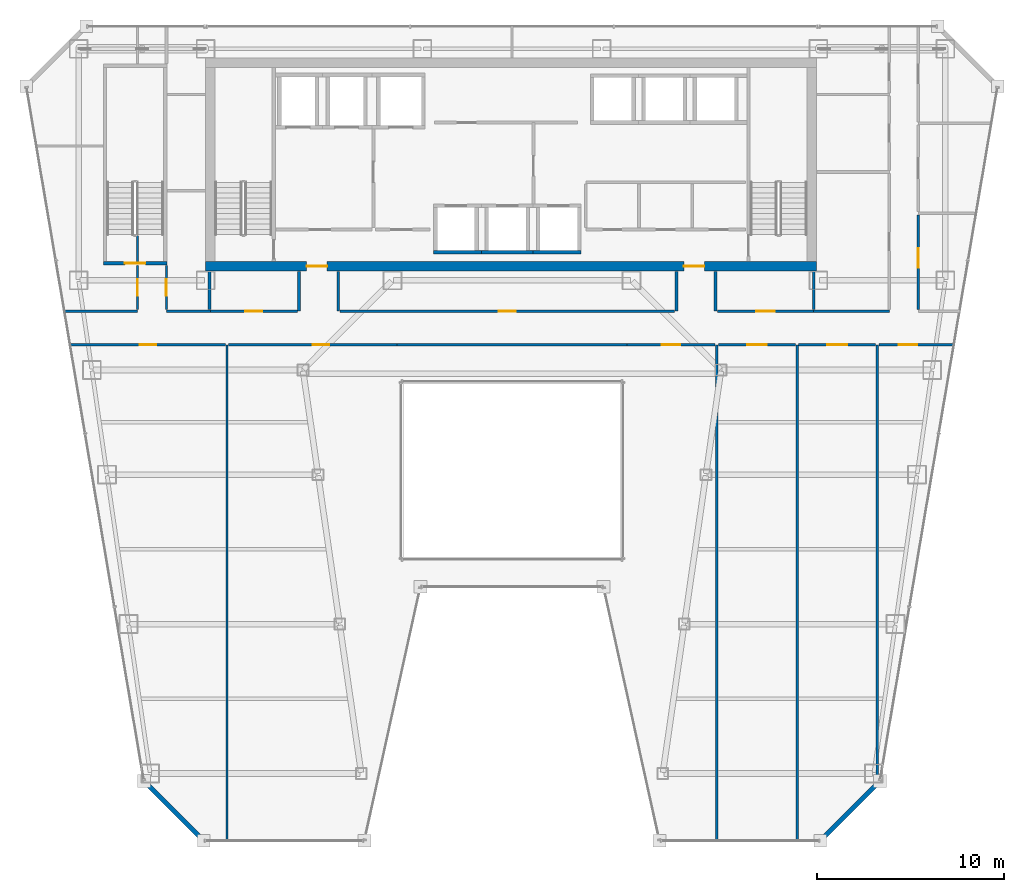
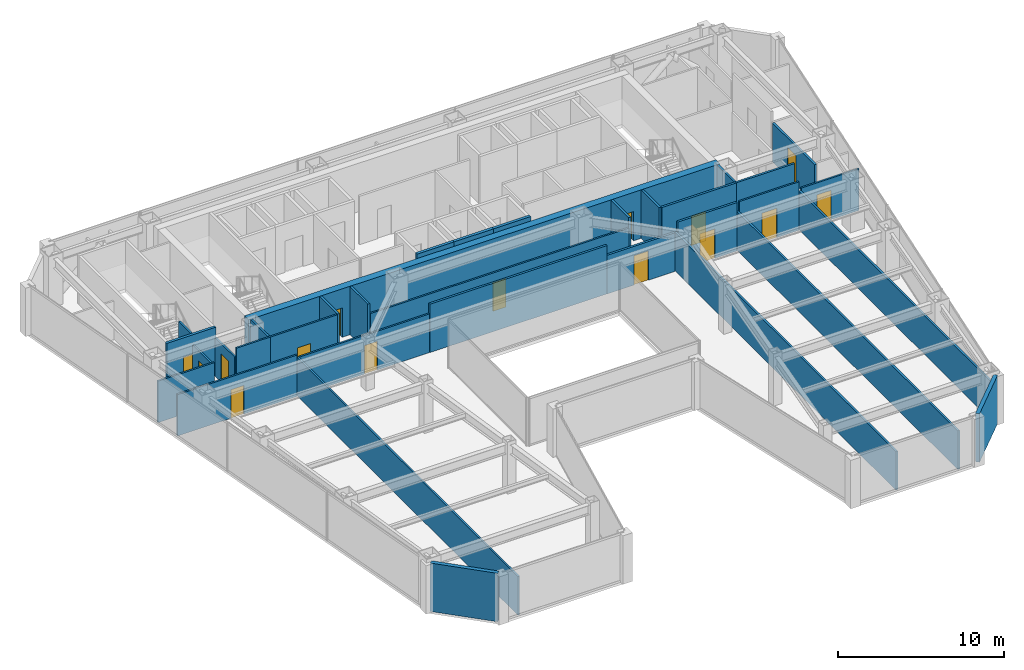
# One storey, part 29 of 35: 34 walls, 15 doors, 15 openings.
"""IFC4 building model written with IfcOpenShell, lengths in metres."""

import ifcopenshell
import ifcopenshell.guid

model = None  # the IFC model being written
_history = None  # IfcOwnerHistory: only IFC2X3 demands one
_inside = {}  # id of a spatial element -> (the spatial element, [elements in it])
_under = {}  # id of a project, library or spatial element -> (it, [spatial elements below it])
_declared = {}  # id of a project -> (the project, [libraries it declares])
_typed = {}  # id of a type object -> (the type object, [elements of that type])
_made_of = {}  # id of a material, layer set ... -> (it, [elements and type objects made of it])


def new_model(schema):
    """Start an empty IFC model of exactly this schema.

    Asked for "IFC4X3", IfcOpenShell would pick the latest addendum, in which some entities
    have other attributes; the version numbers below select the first issue.
    IFC2X3 requires an IfcOwnerHistory on every rooted entity: one is made here for all.
    """
    global model, _history
    if schema == "IFC4X3":
        model = ifcopenshell.file(schema_version=(4, 3, 0, 0))
    else:
        model = ifcopenshell.file(schema=schema)
    _inside.clear()
    _under.clear()
    _declared.clear()
    _typed.clear()
    _made_of.clear()
    _history = None
    if model.schema == "IFC2X3":
        org = make("IfcOrganization", Name="unknown")
        user = make(
            "IfcPersonAndOrganization",
            ThePerson=make("IfcPerson", FamilyName="unknown"),
            TheOrganization=org,
        )
        app = make(
            "IfcApplication",
            ApplicationDeveloper=org,
            Version="unknown",
            ApplicationFullName="unknown",
            ApplicationIdentifier="unknown",
        )
        _history = make(
            "IfcOwnerHistory",
            OwningUser=user,
            OwningApplication=app,
            ChangeAction="ADDED",
            CreationDate=0,
        )
    return model


def make(cls, **values):
    """One entity of the class cls with the attributes given. An attribute that is None is left unset."""
    return model.create_entity(
        cls, **{name: value for name, value in values.items() if value is not None}
    )


def rooted(cls, **values):
    """An entity with a GlobalId (a new one), such as an element, a storey or a relation."""
    return make(cls, GlobalId=ifcopenshell.guid.new(), OwnerHistory=_history, **values)


def si_unit(unit_type, name, prefix=None):
    """IfcSIUnit, for example si_unit("LENGTHUNIT", "METRE", prefix="MILLI")."""
    return make("IfcSIUnit", UnitType=unit_type, Prefix=prefix, Name=name)


def assignment(units):
    """IfcUnitAssignment: the units of a project."""
    return None if units is None else make("IfcUnitAssignment", Units=units)


def point(xyz):
    """IfcCartesianPoint."""
    return None if xyz is None else make("IfcCartesianPoint", Coordinates=xyz)


def direction(xyz):
    """IfcDirection."""
    return None if xyz is None else make("IfcDirection", DirectionRatios=xyz)


def frame(location, z_axis=None, x_axis=None):
    """IfcAxis2Placement3D, a coordinate frame: its origin and axes. An axis left out is left unset."""
    return make(
        "IfcAxis2Placement3D",
        Location=point(location),
        Axis=direction(z_axis),
        RefDirection=direction(x_axis),
    )


def frame_2d(location, x_axis=None):
    """IfcAxis2Placement2D, a coordinate frame in the plane: its origin and x axis."""
    return make(
        "IfcAxis2Placement2D", Location=point(location), RefDirection=direction(x_axis)
    )


def origin():
    """The frame at (0, 0, 0) with its axes left unset."""
    return frame((0.0, 0.0, 0.0))


def place(relative_to, where):
    """IfcLocalPlacement: puts the frame where relative to a parent placement (None: the world)."""
    return make(
        "IfcLocalPlacement", PlacementRelTo=relative_to, RelativePlacement=where
    )


def context(
    kind, dimensions, precision=None, world=None, true_north=None, identifier=None
):
    """IfcGeometricRepresentationContext, for example the 3D "Model" context."""
    return make(
        "IfcGeometricRepresentationContext",
        ContextIdentifier=identifier,
        ContextType=kind,
        CoordinateSpaceDimension=dimensions,
        Precision=precision,
        WorldCoordinateSystem=world,
        TrueNorth=true_north,
    )


def subcontext(parent, identifier, kind, view, scale=None):
    """IfcGeometricRepresentationSubContext, for example "Body" below "Model"."""
    return make(
        "IfcGeometricRepresentationSubContext",
        ContextIdentifier=identifier,
        ContextType=kind,
        ParentContext=parent,
        TargetScale=scale,
        TargetView=view,
    )


def project(units=None, contexts=None):
    """IfcProject with its units and contexts."""
    return rooted(
        "IfcProject",
        Name="project",
        RepresentationContexts=contexts,
        UnitsInContext=assignment(units),
    )


def spatial(cls, under=None, at=None, **own):
    """A site, building, storey or space (cls), placed at a placement, below another one or the project."""
    s = rooted(cls, ObjectPlacement=at, **own)
    if under is not None:
        _under.setdefault(under.id(), (under, []))[1].append(s)
    return s


def profile(cls, at=None, kind="AREA", **sizes):
    """A parametric profile (cls). Its sizes go by their IFC names, for example OverallWidth=200.0."""
    return make(cls, ProfileType=kind, Position=at, **sizes)


def rectangle(**sizes):
    """IfcRectangleProfileDef."""
    return profile("IfcRectangleProfileDef", **sizes)


def extrude(swept, where, along, depth):
    """IfcExtrudedAreaSolid: the profile swept, set in the frame where, extruded along a direction by depth."""
    return make(
        "IfcExtrudedAreaSolid",
        SweptArea=swept,
        Position=where,
        ExtrudedDirection=direction(along),
        Depth=depth,
    )


def shape(context_of_items, identifier, shape_type, items):
    """IfcShapeRepresentation: the items that make up one representation, for example the "Body"."""
    return make(
        "IfcShapeRepresentation",
        ContextOfItems=context_of_items,
        RepresentationIdentifier=identifier,
        RepresentationType=shape_type,
        Items=items,
    )


def material(Name=None, Category=None):
    """IfcMaterial."""
    return make("IfcMaterial", Name=Name, Category=Category)


def layer(
    of_material, thickness, ventilated=None, Name=None, Category=None, Priority=None
):
    """IfcMaterialLayer: one layer of a wall or slab, of a material (None: an air gap)."""
    return make(
        "IfcMaterialLayer",
        Material=of_material,
        LayerThickness=thickness,
        IsVentilated=ventilated,
        Name=Name,
        Category=Category,
        Priority=Priority,
    )


def layer_set(layers, Name=None):
    """IfcMaterialLayerSet."""
    return make("IfcMaterialLayerSet", MaterialLayers=layers, LayerSetName=Name)


def made_of(thing, what):
    """Note that an element or type object is made of a material, layer set ...; save() writes the relation."""
    if what is not None:
        _made_of.setdefault(what.id(), (what, []))[1].append(thing)
    return thing


def type_object(cls, material=None, **own):
    """A type object (cls), such as IfcWallType, which elements share."""
    return made_of(rooted(cls, **own), material)


def element(
    cls,
    number,
    at=None,
    inside=None,
    cuts=None,
    type_object=None,
    material=None,
    context=None,
    identifier="Body",
    shape_type=None,
    held_by="IfcProductDefinitionShape",
    body=None,
    shapes=None,
    **own,
):
    """One element of the class cls, such as IfcWall. Its Tag is "e" and its number.

    at: its placement. inside: the storey or other place that contains it. cuts: it is an
    opening in that element (IfcRelVoidsElement). A single representation is given by context,
    identifier, shape_type and body (its items); several are given by shapes. held_by: the class
    of the entity that holds the representations. save() writes the other relations.
    """
    e = rooted(cls, Tag="e%d" % number, ObjectPlacement=at, **own)
    if body is not None:
        shapes = [shape(context, identifier, shape_type, body)]
    if shapes is not None:
        e.Representation = make(held_by, Representations=shapes)
    if inside is not None:
        _inside.setdefault(inside.id(), (inside, []))[1].append(e)
    if cuts is not None:
        rooted(
            "IfcRelVoidsElement", RelatingBuildingElement=cuts, RelatedOpeningElement=e
        )
    if type_object is not None:
        _typed.setdefault(type_object.id(), (type_object, []))[1].append(e)
    return made_of(e, material)


def fill(opening, filler):
    """IfcRelFillsElement: the door or window that sits in an opening."""
    return rooted(
        "IfcRelFillsElement",
        RelatingOpeningElement=opening,
        RelatedBuildingElement=filler,
    )


def aggregate(whole, parts):
    """IfcRelAggregates: a whole, such as a stair, and the parts it consists of."""
    return rooted("IfcRelAggregates", RelatingObject=whole, RelatedObjects=parts)


def save(model, path):
    """Write the relations noted so far, then the file.

    IfcRelAggregates (storeys below a building ...), IfcRelContainedInSpatialStructure (elements
    in a storey), IfcRelDefinesByType, IfcRelAssociatesMaterial and IfcRelDeclares: one each for
    every whole, place, type object, material and project.
    """
    for whole, parts in _under.values():
        aggregate(whole, parts)
    for where, things in _inside.values():
        rooted(
            "IfcRelContainedInSpatialStructure",
            RelatedElements=things,
            RelatingStructure=where,
        )
    for kind, things in _typed.values():
        rooted("IfcRelDefinesByType", RelatedObjects=things, RelatingType=kind)
    for what, things in _made_of.values():
        rooted("IfcRelAssociatesMaterial", RelatedObjects=things, RelatingMaterial=what)
    for by, libraries in _declared.values():
        rooted("IfcRelDeclares", RelatingContext=by, RelatedDefinitions=libraries)
    model.write(path)


model = new_model("IFC4")

# Units and contexts
model_context = context("Model", 3, precision=1e-05, world=origin(), true_north=direction((0.0, 1.0)))
body_context = subcontext(model_context, "Body", "Model", "MODEL_VIEW")
ifc_project = project(units=[si_unit("LENGTHUNIT", "METRE"), si_unit("AREAUNIT", "SQUARE_METRE"), si_unit("VOLUMEUNIT", "CUBIC_METRE"), si_unit("PLANEANGLEUNIT", "RADIAN"), si_unit("MASSUNIT", "GRAM", prefix="KILO")], contexts=[model_context])

# Site, building, storey
site_placement = place(None, origin())
site = spatial("IfcSite", under=ifc_project, at=site_placement, CompositionType="ELEMENT")
building_placement = place(site_placement, origin())
building = spatial("IfcBuilding", under=site, at=building_placement, Name="Saevonmaru Cultural Tower", CompositionType="ELEMENT")
storey_placement = place(building_placement, frame((0.0, 0.0, 175.199951171875)))
storey = spatial("IfcBuildingStorey", under=building, at=storey_placement, Name="L39", CompositionType="ELEMENT", Elevation=175.199951171875)

# Wall, openings, doors
ifc_material_1 = material(Name="Concrete C60/75", Category="concrete")
ifc_layer_1 = layer(ifc_material_1, 0.5, Name="Concrete C60/75")
ifc_layer_set_1 = layer_set([ifc_layer_1], Name="Concrete C60/75")
wall_type_1 = type_object("IfcWallType", Name="WL-CORE-500", PredefinedType="SHEAR", material=ifc_layer_set_1)
wall_1_placement = place(storey_placement, frame((13.60009765625, 43.14990234375, 0.0), z_axis=(0.0, 0.0, 1.0), x_axis=(1.0, 0.0, 0.0)))
wall_1 = element("IfcWall", 1, at=wall_1_placement, inside=storey, type_object=wall_type_1, Name="L39 Tower RC core shear wall S", PredefinedType="SHEAR", context=body_context, shape_type="SweptSolid", body=[
    extrude(rectangle(XDim=32.699951171875, YDim=0.5, at=frame_2d((16.35009765625, 0.0))), origin(), (0.0, 0.0, 1.0), 3.550048828125),
])
opening_1_placement = place(wall_1_placement, frame((5.39990234375, 0.0, 0.0)))
opening_1 = element("IfcOpeningElement", 2, at=opening_1_placement, cuts=wall_1, Name="Opening FD-2", PredefinedType="OPENING", context=body_context, shape_type="SweptSolid", body=[
    extrude(rectangle(XDim=1.10009765625, YDim=2.14990234375, at=frame_2d((0.550048828125, 1.074951171875))), frame((0.0, 0.260009765625, 0.0), z_axis=(0.0, -1.0, 0.0), x_axis=(1.0, 0.0, 0.0)), (0.0, 0.0, 1.0), 0.52001953125),
])
opening_2_placement = place(wall_1_placement, frame((25.60009765625, 0.0, 0.0)))
opening_2 = element("IfcOpeningElement", 3, at=opening_2_placement, cuts=wall_1, Name="Opening FD-2", PredefinedType="OPENING", context=body_context, shape_type="SweptSolid", body=[
    extrude(rectangle(XDim=1.10009765625, YDim=2.14990234375, at=frame_2d((0.550048828125, 1.074951171875))), frame((0.0, 0.260009765625, 0.0), z_axis=(0.0, -1.0, 0.0), x_axis=(1.0, 0.0, 0.0)), (0.0, 0.0, 1.0), 0.52001953125),
])
ifc_material_2 = material(Name="Satin Bronze Anodised Aluminium", Category="aluminium")
door_type_1 = type_object("IfcDoorType", Name="DR-FD60-1100", OperationType="SINGLE_SWING_LEFT", PredefinedType="DOOR", material=ifc_material_2)
door_1_placement = place(opening_1_placement, origin())
door_1 = element("IfcDoor", 4, at=door_1_placement, inside=storey, type_object=door_type_1, Name="L39 Core West Lobby Fire Door", OperationType="SINGLE_SWING_LEFT", OverallHeight=2.14990234375, OverallWidth=1.10009765625, PredefinedType="DOOR", context=body_context, shape_type="SweptSolid", body=[
    extrude(rectangle(XDim=1.10009765625, YDim=2.14990234375, at=frame_2d((0.550048828125, 1.074951171875))), frame((0.0, 0.02490234375, 0.0), z_axis=(0.0, -1.0, 0.0), x_axis=(1.0, 0.0, 0.0)), (0.0, 0.0, 1.0), 0.050048828125),
])
fill(opening_1, door_1)
door_2_placement = place(opening_2_placement, origin())
door_2 = element("IfcDoor", 5, at=door_2_placement, inside=storey, type_object=door_type_1, Name="L39 Core East Lobby Fire Door", OperationType="SINGLE_SWING_LEFT", OverallHeight=2.14990234375, OverallWidth=1.10009765625, PredefinedType="DOOR", context=body_context, shape_type="SweptSolid", body=[
    extrude(rectangle(XDim=1.10009765625, YDim=2.14990234375, at=frame_2d((0.550048828125, 1.074951171875))), frame((0.0, 0.02490234375, 0.0), z_axis=(0.0, -1.0, 0.0), x_axis=(1.0, 0.0, 0.0)), (0.0, 0.0, 1.0), 0.050048828125),
])
fill(opening_2, door_2)

# Walls
ifc_material_3 = material(Name="Granite-Clad Precast Concrete C40/50", Category="masonry")
ifc_layer_2 = layer(ifc_material_3, 0.260009765625, Name="Granite-Clad Precast Concrete C40/50")
ifc_layer_set_2 = layer_set([ifc_layer_2], Name="Granite-Clad Precast Concrete C40/50")
wall_type_2 = type_object("IfcWallType", Name="WL-EXT-SPANDREL-260", PredefinedType="STANDARD", material=ifc_layer_set_2)
for number, where, z_axis, x_axis, name in (
    (6, (10.410888671875, 15.48681640625, 0.0), (0.0, 0.0, 1.0), (0.707135806771, -0.70707775441, 0.0), "L39 Chamfer Corner Spandrel Wall E1"),
    (7, (46.615234375, 12.51318359375, 0.0), (0.0, 0.0, 1.0), (0.707135806771, 0.70707775441, 0.0), "L39 Chamfer Corner Spandrel Wall E7"),
):
    element("IfcWall", number, at=place(storey_placement, frame(where, z_axis=z_axis, x_axis=x_axis)), inside=storey, type_object=wall_type_2, Name=name, PredefinedType="STANDARD", context=body_context, shape_type="SweptSolid", body=[
        extrude(rectangle(XDim=4.20556640625, YDim=0.260009765625, at=frame_2d((2.102783203125, 0.0))), origin(), (0.0, 0.0, 1.0), 3.550048828125),
    ])

# Wall, opening, door
ifc_material_4 = material(Name="Gypsum Fireboard Partition", Category="gypsum")
ifc_layer_3 = layer(ifc_material_4, 0.14990234375, Name="Gypsum Fireboard Partition")
ifc_layer_set_3 = layer_set([ifc_layer_3], Name="Gypsum Fireboard Partition")
wall_type_3 = type_object("IfcWallType", Name="WL-PART-FIRE-150", PredefinedType="PARTITIONING", material=ifc_layer_set_3)
wall_2_placement = place(storey_placement, frame((51.75, 40.83740234375, 0.0), z_axis=(0.0, 0.0, 1.0), x_axis=(0.0, 1.0, 0.0)))
wall_2 = element("IfcWall", 8, at=wall_2_placement, inside=storey, type_object=wall_type_3, Name="L39 Visual Arts Critique Gallery Corridor Wall", PredefinedType="PARTITIONING", context=body_context, shape_type="SweptSolid", body=[
    extrude(rectangle(XDim=5.0751953125, YDim=0.14990234375, at=frame_2d((2.53759765625, 0.0))), origin(), (0.0, 0.0, 1.0), 2.8349609375),
])
opening_3_placement = place(wall_2_placement, frame((2.23291015625, 0.0, 0.0)))
opening_3 = element("IfcOpeningElement", 9, at=opening_3_placement, cuts=wall_2, Name="Opening ID-1", PredefinedType="OPENING", context=body_context, shape_type="SweptSolid", body=[
    extrude(rectangle(XDim=1.050048828125, YDim=2.14990234375, at=frame_2d((0.52490234375, 1.074951171875))), frame((0.0, 0.0849609375, 0.0), z_axis=(0.0, -1.0, 0.0), x_axis=(1.0, 0.0, 0.0)), (0.0, 0.0, 1.0), 0.169921875),
])
door_type_2 = type_object("IfcDoorType", Name="DR-INT-1050", OperationType="SINGLE_SWING_LEFT", PredefinedType="DOOR", material=ifc_material_2)
door_3_placement = place(opening_3_placement, origin())
door_3 = element("IfcDoor", 10, at=door_3_placement, inside=storey, type_object=door_type_2, Name="L39 Visual Arts Critique Gallery Door", OperationType="SINGLE_SWING_LEFT", OverallHeight=2.14990234375, OverallWidth=1.050048828125, PredefinedType="DOOR", context=body_context, shape_type="SweptSolid", body=[
    extrude(rectangle(XDim=1.050048828125, YDim=2.14990234375, at=frame_2d((0.52490234375, 1.074951171875))), frame((0.0, 0.02490234375, 0.0), z_axis=(0.0, -1.0, 0.0), x_axis=(1.0, 0.0, 0.0)), (0.0, 0.0, 1.0), 0.050048828125),
])
fill(opening_3, door_3)

# Walls
wall_3_placement = place(storey_placement, frame((13.800048828125, 40.830078125, 0.0), z_axis=(0.0, 0.0, 1.0), x_axis=(0.0, 1.0, 0.0)))
element("IfcWall", 11, at=wall_3_placement, inside=storey, type_object=wall_type_3, Name="L39 Core Portal Side Wall W0", PredefinedType="PARTITIONING", context=body_context, shape_type="SweptSolid", body=[
    extrude(rectangle(XDim=2.0498046875, YDim=0.14990234375, at=frame_2d((1.02490234375, 0.0))), origin(), (0.0, 0.0, 1.0), 3.550048828125),
])
for number, where, z_axis, x_axis, name in (
    (12, (18.60009765625, 40.75, 0.0), (0.0, 0.0, 1.0), (0.0, 1.0, 0.0), "L39 Core Portal Side Wall W1"),
    (13, (20.699951171875, 40.75, 0.0), (0.0, 0.0, 1.0), (0.0, 1.0, 0.0), "L39 Core Portal Side Wall W2"),
    (14, (38.800048828125, 40.75, 0.0), (0.0, 0.0, 1.0), (0.0, 1.0, 0.0), "L39 Core Portal Side Wall E1"),
    (15, (40.89990234375, 40.75, 0.0), (0.0, 0.0, 1.0), (0.0, 1.0, 0.0), "L39 Core Portal Side Wall E2"),
):
    element("IfcWall", number, at=place(storey_placement, frame(where, z_axis=z_axis, x_axis=x_axis)), inside=storey, type_object=wall_type_3, Name=name, PredefinedType="PARTITIONING", context=body_context, shape_type="SweptSolid", body=[
        extrude(rectangle(XDim=2.1298828125, YDim=0.14990234375, at=frame_2d((1.06494140625, 0.0))), origin(), (0.0, 0.0, 1.0), 3.550048828125),
    ])

# Wall, opening, door
wall_4_placement = place(storey_placement, frame((40.9951171875, 40.75, 0.0), z_axis=(0.0, 0.0, 1.0), x_axis=(1.0, 0.0, 0.0)))
wall_4 = element("IfcWall", 16, at=wall_4_placement, inside=storey, type_object=wall_type_3, Name="L39 Media Screening Auditorium Corridor Wall", PredefinedType="PARTITIONING", context=body_context, shape_type="SweptSolid", body=[
    extrude(rectangle(XDim=5.15478515625, YDim=0.14990234375, at=frame_2d((2.577392578125, 0.0))), origin(), (0.0, 0.0, 1.0), 3.550048828125),
])
opening_4_placement = place(wall_4_placement, frame((2.077880859375, 0.0, 0.0)))
opening_4 = element("IfcOpeningElement", 17, at=opening_4_placement, cuts=wall_4, Name="Opening ID-1B", PredefinedType="OPENING", context=body_context, shape_type="SweptSolid", body=[
    extrude(rectangle(XDim=1.0, YDim=2.14990234375, at=frame_2d((0.5, 1.074951171875))), frame((0.0, 0.0849609375, 0.0), z_axis=(0.0, -1.0, 0.0), x_axis=(1.0, 0.0, 0.0)), (0.0, 0.0, 1.0), 0.169921875),
])
ifc_material_5 = material(Name="Acoustic Stained Oak Timber", Category="wood")
door_type_3 = type_object("IfcDoorType", Name="DR-INT-1000", OperationType="SINGLE_SWING_RIGHT", PredefinedType="DOOR", material=ifc_material_5)
door_4_placement = place(opening_4_placement, origin())
door_4 = element("IfcDoor", 18, at=door_4_placement, inside=storey, type_object=door_type_3, Name="L39 Media Screening Auditorium Door", OperationType="SINGLE_SWING_RIGHT", OverallHeight=2.14990234375, OverallWidth=1.0, PredefinedType="DOOR", context=body_context, shape_type="SweptSolid", body=[
    extrude(rectangle(XDim=1.0, YDim=2.14990234375, at=frame_2d((0.5, 1.074951171875))), frame((0.0, 0.02490234375, 0.0), z_axis=(0.0, -1.0, 0.0), x_axis=(1.0, 0.0, 0.0)), (0.0, 0.0, 1.0), 0.050048828125),
])
fill(opening_4, door_4)

# Wall
wall_5_placement = place(storey_placement, frame((23.85009765625, 38.949951171875, 0.0), z_axis=(0.0, 0.0, 1.0), x_axis=(1.0, 0.0, 0.0)))
element("IfcWall", 19, at=wall_5_placement, inside=storey, type_object=wall_type_3, Name="L39 North Atrium Corridor Wall", PredefinedType="PARTITIONING", context=body_context, shape_type="SweptSolid", body=[
    extrude(rectangle(XDim=12.2998046875, YDim=0.14990234375, at=frame_2d((6.14990234375, 0.0))), origin(), (0.0, 0.0, 1.0), 3.550048828125),
])

# Wall, opening, door
wall_6_placement = place(storey_placement, frame((36.14990234375, 38.949951171875, 0.0), z_axis=(0.0, 0.0, 1.0), x_axis=(1.0, 0.0, 0.0)))
wall_6 = element("IfcWall", 20, at=wall_6_placement, inside=storey, type_object=wall_type_3, Name="L39 Media Screening Auditorium Corridor Wall", PredefinedType="PARTITIONING", context=body_context, shape_type="SweptSolid", body=[
    extrude(rectangle(XDim=4.72265625, YDim=0.14990234375, at=frame_2d((2.361328125, 0.0))), origin(), (0.0, 0.0, 1.0), 2.8349609375),
])
opening_5_placement = place(wall_6_placement, frame((1.861083984375, 0.0, 0.0)))
opening_5 = element("IfcOpeningElement", 21, at=opening_5_placement, cuts=wall_6, Name="Opening ID-1B", PredefinedType="OPENING", context=body_context, shape_type="SweptSolid", body=[
    extrude(rectangle(XDim=1.0, YDim=2.14990234375, at=frame_2d((0.5, 1.074951171875))), frame((0.0, 0.0849609375, 0.0), z_axis=(0.0, -1.0, 0.0), x_axis=(1.0, 0.0, 0.0)), (0.0, 0.0, 1.0), 0.169921875),
])
door_5_placement = place(opening_5_placement, origin())
door_5 = element("IfcDoor", 22, at=door_5_placement, inside=storey, type_object=door_type_3, Name="L39 Media Screening Auditorium Door", OperationType="SINGLE_SWING_LEFT", OverallHeight=2.14990234375, OverallWidth=1.0, PredefinedType="DOOR", context=body_context, shape_type="SweptSolid", body=[
    extrude(rectangle(XDim=1.0, YDim=2.14990234375, at=frame_2d((0.5, 1.074951171875))), frame((0.0, 0.02490234375, 0.0), z_axis=(0.0, -1.0, 0.0), x_axis=(1.0, 0.0, 0.0)), (0.0, 0.0, 1.0), 0.050048828125),
])
fill(opening_5, door_5)

wall_7_placement = place(storey_placement, frame((41.047607421875, 38.949951171875, 0.0), z_axis=(0.0, 0.0, 1.0), x_axis=(1.0, 0.0, 0.0)))
wall_7 = element("IfcWall", 23, at=wall_7_placement, inside=storey, type_object=wall_type_3, Name="L39 Visual Arts Critique Gallery Corridor Wall", PredefinedType="PARTITIONING", context=body_context, shape_type="SweptSolid", body=[
    extrude(rectangle(XDim=4.125, YDim=0.14990234375, at=frame_2d((2.0625, 0.0))), origin(), (0.0, 0.0, 1.0), 3.550048828125),
])
opening_6_placement = place(wall_7_placement, frame((1.5380859375, 0.0, 0.0)))
opening_6 = element("IfcOpeningElement", 24, at=opening_6_placement, cuts=wall_7, Name="Opening ID-1", PredefinedType="OPENING", context=body_context, shape_type="SweptSolid", body=[
    extrude(rectangle(XDim=1.050048828125, YDim=2.14990234375, at=frame_2d((0.52490234375, 1.074951171875))), frame((0.0, 0.0849609375, 0.0), z_axis=(0.0, -1.0, 0.0), x_axis=(1.0, 0.0, 0.0)), (0.0, 0.0, 1.0), 0.169921875),
])
door_6_placement = place(opening_6_placement, origin())
door_6 = element("IfcDoor", 25, at=door_6_placement, inside=storey, type_object=door_type_2, Name="L39 Visual Arts Critique Gallery Door", OperationType="SINGLE_SWING_RIGHT", OverallHeight=2.14990234375, OverallWidth=1.050048828125, PredefinedType="DOOR", context=body_context, shape_type="SweptSolid", body=[
    extrude(rectangle(XDim=1.050048828125, YDim=2.14990234375, at=frame_2d((0.52490234375, 1.074951171875))), frame((0.0, 0.02490234375, 0.0), z_axis=(0.0, -1.0, 0.0), x_axis=(1.0, 0.0, 0.0)), (0.0, 0.0, 1.0), 0.050048828125),
])
fill(opening_6, door_6)

# Walls
ifc_layer_4 = layer(ifc_material_4, 0.1201171875, Name="Gypsum Fireboard Partition")
ifc_layer_set_4 = layer_set([ifc_layer_4], Name="Gypsum Fireboard Partition")
wall_type_4 = type_object("IfcWallType", Name="WL-PART-GYP-120", PredefinedType="PARTITIONING", material=ifc_layer_set_4)
wall_8_placement = place(storey_placement, frame((6.045166015625, 40.75, 0.0), z_axis=(0.0, 0.0, 1.0), x_axis=(1.0, 0.0, 0.0)))
element("IfcWall", 26, at=wall_8_placement, inside=storey, type_object=wall_type_4, Name="L39 NW Wing South Wall", PredefinedType="PARTITIONING", context=body_context, shape_type="SweptSolid", body=[
    extrude(rectangle(XDim=3.90478515625, YDim=0.1201171875, at=frame_2d((1.952392578125, 0.0))), origin(), (0.0, 0.0, 1.0), 3.03515625),
])
wall_9_placement = place(storey_placement, frame((11.5, 40.75, 0.0), z_axis=(0.0, 0.0, 1.0), x_axis=(1.0, 0.0, 0.0)))
element("IfcWall", 27, at=wall_9_placement, inside=storey, type_object=wall_type_4, Name="L39 NW Inner South Wall", PredefinedType="PARTITIONING", context=body_context, shape_type="SweptSolid", body=[
    extrude(rectangle(XDim=2.35009765625, YDim=0.1201171875, at=frame_2d((1.175048828125, 0.0))), origin(), (0.0, 0.0, 1.0), 3.550048828125),
])

# Wall, opening, door
wall_10_placement = place(storey_placement, frame((9.949951171875, 40.830078125, 0.0), z_axis=(0.0, 0.0, 1.0), x_axis=(0.0, 1.0, 0.0)))
wall_10 = element("IfcWall", 28, at=wall_10_placement, inside=storey, type_object=wall_type_4, Name="L39 Digital Media Classroom Corridor Wall", PredefinedType="PARTITIONING", context=body_context, shape_type="SweptSolid", body=[
    extrude(rectangle(XDim=2.369873046875, YDim=0.1201171875, at=frame_2d((1.18505859375, 0.0))), origin(), (0.0, 0.0, 1.0), 2.8349609375),
])
opening_7_placement = place(wall_10_placement, frame((0.735107421875, 0.0, 0.0)))
opening_7 = element("IfcOpeningElement", 29, at=opening_7_placement, cuts=wall_10, Name="Opening ID-2", PredefinedType="OPENING", context=body_context, shape_type="SweptSolid", body=[
    extrude(rectangle(XDim=0.89990234375, YDim=2.10009765625, at=frame_2d((0.449951171875, 1.050048828125))), frame((0.0, 0.070068359375, 0.0), z_axis=(0.0, -1.0, 0.0), x_axis=(1.0, 0.0, 0.0)), (0.0, 0.0, 1.0), 0.14013671875),
])
door_type_4 = type_object("IfcDoorType", Name="DR-INT-900", OperationType="SINGLE_SWING_RIGHT", PredefinedType="DOOR", material=ifc_material_5)
door_7_placement = place(opening_7_placement, origin())
door_7 = element("IfcDoor", 30, at=door_7_placement, inside=storey, type_object=door_type_4, Name="L39 Digital Media Classroom Door", OperationType="SINGLE_SWING_LEFT", OverallHeight=2.10009765625, OverallWidth=0.89990234375, PredefinedType="DOOR", context=body_context, shape_type="SweptSolid", body=[
    extrude(rectangle(XDim=0.89990234375, YDim=2.10009765625, at=frame_2d((0.449951171875, 1.050048828125))), frame((0.0, 0.02490234375, 0.0), z_axis=(0.0, -1.0, 0.0), x_axis=(1.0, 0.0, 0.0)), (0.0, 0.0, 1.0), 0.050048828125),
])
fill(opening_7, door_7)

# Wall
wall_11_placement = place(storey_placement, frame((9.949951171875, 43.419921875, 0.0), z_axis=(0.0, 0.0, 1.0), x_axis=(0.0, 1.0, 0.0)))
element("IfcWall", 31, at=wall_11_placement, inside=storey, type_object=wall_type_4, Name="L39 Digital Media Classroom Corridor Wall (2)", PredefinedType="PARTITIONING", context=body_context, shape_type="SweptSolid", body=[
    extrude(rectangle(XDim=1.4501953125, YDim=0.1201171875, at=frame_2d((0.72509765625, 0.0))), origin(), (0.0, 0.0, 1.0), 3.550048828125),
])

# Wall, opening, door
wall_12_placement = place(storey_placement, frame((11.5, 40.830078125, 0.0), z_axis=(0.0, 0.0, 1.0), x_axis=(0.0, 1.0, 0.0)))
wall_12 = element("IfcWall", 32, at=wall_12_placement, inside=storey, type_object=wall_type_4, Name="L39 Design Seminar Classroom Corridor Wall", PredefinedType="PARTITIONING", context=body_context, shape_type="SweptSolid", body=[
    extrude(rectangle(XDim=2.369873046875, YDim=0.1201171875, at=frame_2d((1.18505859375, 0.0))), origin(), (0.0, 0.0, 1.0), 2.8349609375),
])
opening_8_placement = place(wall_12_placement, frame((0.735107421875, 0.0, 0.0)))
opening_8 = element("IfcOpeningElement", 33, at=opening_8_placement, cuts=wall_12, Name="Opening ID-2", PredefinedType="OPENING", context=body_context, shape_type="SweptSolid", body=[
    extrude(rectangle(XDim=0.89990234375, YDim=2.10009765625, at=frame_2d((0.449951171875, 1.050048828125))), frame((0.0, 0.070068359375, 0.0), z_axis=(0.0, -1.0, 0.0), x_axis=(1.0, 0.0, 0.0)), (0.0, 0.0, 1.0), 0.14013671875),
])
door_8_placement = place(opening_8_placement, origin())
door_8 = element("IfcDoor", 34, at=door_8_placement, inside=storey, type_object=door_type_4, Name="L39 Design Seminar Classroom Door", OperationType="SINGLE_SWING_RIGHT", OverallHeight=2.10009765625, OverallWidth=0.89990234375, PredefinedType="DOOR", context=body_context, shape_type="SweptSolid", body=[
    extrude(rectangle(XDim=0.89990234375, YDim=2.10009765625, at=frame_2d((0.449951171875, 1.050048828125))), frame((0.0, 0.02490234375, 0.0), z_axis=(0.0, -1.0, 0.0), x_axis=(1.0, 0.0, 0.0)), (0.0, 0.0, 1.0), 0.050048828125),
])
fill(opening_8, door_8)

wall_13_placement = place(storey_placement, frame((13.85009765625, 40.75, 0.0), z_axis=(0.0, 0.0, 1.0), x_axis=(1.0, 0.0, 0.0)))
wall_13 = element("IfcWall", 35, at=wall_13_placement, inside=storey, type_object=wall_type_4, Name="L39 Digital Media Classroom Corridor Wall", PredefinedType="PARTITIONING", context=body_context, shape_type="SweptSolid", body=[
    extrude(rectangle(XDim=4.65478515625, YDim=0.1201171875, at=frame_2d((2.327392578125, 0.0))), origin(), (0.0, 0.0, 1.0), 3.550048828125),
])
opening_9_placement = place(wall_13_placement, frame((1.876953125, 0.0, 0.0)))
opening_9 = element("IfcOpeningElement", 36, at=opening_9_placement, cuts=wall_13, Name="Opening ID-2", PredefinedType="OPENING", context=body_context, shape_type="SweptSolid", body=[
    extrude(rectangle(XDim=0.89990234375, YDim=2.10009765625, at=frame_2d((0.449951171875, 1.050048828125))), frame((0.0, 0.070068359375, 0.0), z_axis=(0.0, -1.0, 0.0), x_axis=(1.0, 0.0, 0.0)), (0.0, 0.0, 1.0), 0.14013671875),
])
door_9_placement = place(opening_9_placement, origin())
door_9 = element("IfcDoor", 37, at=door_9_placement, inside=storey, type_object=door_type_4, Name="L39 Digital Media Classroom Door", OperationType="SINGLE_SWING_RIGHT", OverallHeight=2.10009765625, OverallWidth=0.89990234375, PredefinedType="DOOR", context=body_context, shape_type="SweptSolid", body=[
    extrude(rectangle(XDim=0.89990234375, YDim=2.10009765625, at=frame_2d((0.449951171875, 1.050048828125))), frame((0.0, 0.02490234375, 0.0), z_axis=(0.0, -1.0, 0.0), x_axis=(1.0, 0.0, 0.0)), (0.0, 0.0, 1.0), 0.050048828125),
])
fill(opening_9, door_9)

wall_14_placement = place(storey_placement, frame((20.794921875, 40.75, 0.0), z_axis=(0.0, 0.0, 1.0), x_axis=(1.0, 0.0, 0.0)))
wall_14 = element("IfcWall", 38, at=wall_14_placement, inside=storey, type_object=wall_type_4, Name="L39 Design Seminar Classroom Corridor Wall", PredefinedType="PARTITIONING", context=body_context, shape_type="SweptSolid", body=[
    extrude(rectangle(XDim=17.91015625, YDim=0.1201171875, at=frame_2d((8.955078125, 0.0))), origin(), (0.0, 0.0, 1.0), 2.8349609375),
])
opening_10_placement = place(wall_14_placement, frame((8.5048828125, 0.0, 0.0)))
opening_10 = element("IfcOpeningElement", 39, at=opening_10_placement, cuts=wall_14, Name="Opening ID-2", PredefinedType="OPENING", context=body_context, shape_type="SweptSolid", body=[
    extrude(rectangle(XDim=0.89990234375, YDim=2.10009765625, at=frame_2d((0.449951171875, 1.050048828125))), frame((0.0, 0.070068359375, 0.0), z_axis=(0.0, -1.0, 0.0), x_axis=(1.0, 0.0, 0.0)), (0.0, 0.0, 1.0), 0.14013671875),
])
door_10_placement = place(opening_10_placement, origin())
door_10 = element("IfcDoor", 40, at=door_10_placement, inside=storey, type_object=door_type_4, Name="L39 Design Seminar Classroom Door", OperationType="SINGLE_SWING_LEFT", OverallHeight=2.10009765625, OverallWidth=0.89990234375, PredefinedType="DOOR", context=body_context, shape_type="SweptSolid", body=[
    extrude(rectangle(XDim=0.89990234375, YDim=2.10009765625, at=frame_2d((0.449951171875, 1.050048828125))), frame((0.0, 0.02490234375, 0.0), z_axis=(0.0, -1.0, 0.0), x_axis=(1.0, 0.0, 0.0)), (0.0, 0.0, 1.0), 0.050048828125),
])
fill(opening_10, door_10)

# Wall
wall_15_placement = place(storey_placement, frame((14.739990234375, 12.405029296875, 0.0), z_axis=(0.0, 0.0, 1.0), x_axis=(0.0, 1.0, 0.0)))
element("IfcWall", 41, at=wall_15_placement, inside=storey, type_object=wall_type_4, Name="L39 West Bay Divider 1", PredefinedType="PARTITIONING", context=body_context, shape_type="SweptSolid", body=[
    extrude(rectangle(XDim=26.544921875, YDim=0.1201171875, at=frame_2d((13.2724609375, 0.0))), origin(), (0.0, 0.0, 1.0), 2.8349609375),
])

# Wall, opening, door
wall_16_placement = place(storey_placement, frame((6.36279296875, 38.949951171875, 0.0), z_axis=(0.0, 0.0, 1.0), x_axis=(1.0, 0.0, 0.0)))
wall_16 = element("IfcWall", 42, at=wall_16_placement, inside=storey, type_object=wall_type_4, Name="L39 Digital Media Classroom Corridor Wall", PredefinedType="PARTITIONING", context=body_context, shape_type="SweptSolid", body=[
    extrude(rectangle(XDim=8.297119140625, YDim=0.1201171875, at=frame_2d((4.1484375, 0.0))), origin(), (0.0, 0.0, 1.0), 3.03515625),
])
opening_11_placement = place(wall_16_placement, frame((3.698974609375, 0.0, 0.0)))
opening_11 = element("IfcOpeningElement", 43, at=opening_11_placement, cuts=wall_16, Name="Opening ID-2", PredefinedType="OPENING", context=body_context, shape_type="SweptSolid", body=[
    extrude(rectangle(XDim=0.89990234375, YDim=2.10009765625, at=frame_2d((0.449951171875, 1.050048828125))), frame((0.0, 0.070068359375, 0.0), z_axis=(0.0, -1.0, 0.0), x_axis=(1.0, 0.0, 0.0)), (0.0, 0.0, 1.0), 0.14013671875),
])
door_11_placement = place(opening_11_placement, origin())
door_11 = element("IfcDoor", 44, at=door_11_placement, inside=storey, type_object=door_type_4, Name="L39 Digital Media Classroom Door", OperationType="SINGLE_SWING_LEFT", OverallHeight=2.10009765625, OverallWidth=0.89990234375, PredefinedType="DOOR", context=body_context, shape_type="SweptSolid", body=[
    extrude(rectangle(XDim=0.89990234375, YDim=2.10009765625, at=frame_2d((0.449951171875, 1.050048828125))), frame((0.0, 0.02490234375, 0.0), z_axis=(0.0, -1.0, 0.0), x_axis=(1.0, 0.0, 0.0)), (0.0, 0.0, 1.0), 0.050048828125),
])
fill(opening_11, door_11)

wall_17_placement = place(storey_placement, frame((14.820068359375, 38.949951171875, 0.0), z_axis=(0.0, 0.0, 1.0), x_axis=(1.0, 0.0, 0.0)))
wall_17 = element("IfcWall", 45, at=wall_17_placement, inside=storey, type_object=wall_type_4, Name="L39 Design Seminar Classroom Corridor Wall", PredefinedType="PARTITIONING", context=body_context, shape_type="SweptSolid", body=[
    extrude(rectangle(XDim=9.030029296875, YDim=0.1201171875, at=frame_2d((4.51513671875, 0.0))), origin(), (0.0, 0.0, 1.0), 2.8349609375),
])
opening_12_placement = place(wall_17_placement, frame((4.5048828125, 0.0, 0.0)))
opening_12 = element("IfcOpeningElement", 46, at=opening_12_placement, cuts=wall_17, Name="Opening ID-2", PredefinedType="OPENING", context=body_context, shape_type="SweptSolid", body=[
    extrude(rectangle(XDim=0.89990234375, YDim=2.10009765625, at=frame_2d((0.449951171875, 1.050048828125))), frame((0.0, 0.070068359375, 0.0), z_axis=(0.0, -1.0, 0.0), x_axis=(1.0, 0.0, 0.0)), (0.0, 0.0, 1.0), 0.14013671875),
])
door_12_placement = place(opening_12_placement, origin())
door_12 = element("IfcDoor", 47, at=door_12_placement, inside=storey, type_object=door_type_4, Name="L39 Design Seminar Classroom Door", OperationType="SINGLE_SWING_RIGHT", OverallHeight=2.10009765625, OverallWidth=0.89990234375, PredefinedType="DOOR", context=body_context, shape_type="SweptSolid", body=[
    extrude(rectangle(XDim=0.89990234375, YDim=2.10009765625, at=frame_2d((0.449951171875, 1.050048828125))), frame((0.0, 0.02490234375, 0.0), z_axis=(0.0, -1.0, 0.0), x_axis=(1.0, 0.0, 0.0)), (0.0, 0.0, 1.0), 0.050048828125),
])
fill(opening_12, door_12)

wall_18_placement = place(storey_placement, frame((45.347412109375, 38.949951171875, 0.0), z_axis=(0.0, 0.0, 1.0), x_axis=(1.0, 0.0, 0.0)))
wall_18 = element("IfcWall", 48, at=wall_18_placement, inside=storey, type_object=wall_type_4, Name="L39 Cartographic Study Library Corridor Wall", PredefinedType="PARTITIONING", context=body_context, shape_type="SweptSolid", body=[
    extrude(rectangle(XDim=4.125, YDim=0.1201171875, at=frame_2d((2.0625, 0.0))), origin(), (0.0, 0.0, 1.0), 3.550048828125),
])
opening_13_placement = place(wall_18_placement, frame((1.5380859375, 0.0, 0.0)))
opening_13 = element("IfcOpeningElement", 49, at=opening_13_placement, cuts=wall_18, Name="Opening ID-1", PredefinedType="OPENING", context=body_context, shape_type="SweptSolid", body=[
    extrude(rectangle(XDim=1.050048828125, YDim=2.14990234375, at=frame_2d((0.52490234375, 1.074951171875))), frame((0.0, 0.070068359375, 0.0), z_axis=(0.0, -1.0, 0.0), x_axis=(1.0, 0.0, 0.0)), (0.0, 0.0, 1.0), 0.14013671875),
])
door_13_placement = place(opening_13_placement, origin())
door_13 = element("IfcDoor", 50, at=door_13_placement, inside=storey, type_object=door_type_2, Name="L39 Cartographic Study Library Door", OperationType="SINGLE_SWING_LEFT", OverallHeight=2.14990234375, OverallWidth=1.050048828125, PredefinedType="DOOR", context=body_context, shape_type="SweptSolid", body=[
    extrude(rectangle(XDim=1.050048828125, YDim=2.14990234375, at=frame_2d((0.52490234375, 1.074951171875))), frame((0.0, 0.02490234375, 0.0), z_axis=(0.0, -1.0, 0.0), x_axis=(1.0, 0.0, 0.0)), (0.0, 0.0, 1.0), 0.050048828125),
])
fill(opening_13, door_13)

wall_19_placement = place(storey_placement, frame((49.6474609375, 38.949951171875, 0.0), z_axis=(0.0, 0.0, 1.0), x_axis=(1.0, 0.0, 0.0)))
wall_19 = element("IfcWall", 51, at=wall_19_placement, inside=storey, type_object=wall_type_4, Name="L39 Panoramic Salon Restaurant Corridor Wall", PredefinedType="PARTITIONING", context=body_context, shape_type="SweptSolid", body=[
    extrude(rectangle(XDim=3.98974609375, YDim=0.1201171875, at=frame_2d((1.994873046875, 0.0))), origin(), (0.0, 0.0, 1.0), 3.03515625),
])
opening_14_placement = place(wall_19_placement, frame((1.054931640625, 0.0, 0.0)))
opening_14 = element("IfcOpeningElement", 52, at=opening_14_placement, cuts=wall_19, Name="Opening ID-1B", PredefinedType="OPENING", context=body_context, shape_type="SweptSolid", body=[
    extrude(rectangle(XDim=1.0, YDim=2.14990234375, at=frame_2d((0.5, 1.074951171875))), frame((0.0, 0.070068359375, 0.0), z_axis=(0.0, -1.0, 0.0), x_axis=(1.0, 0.0, 0.0)), (0.0, 0.0, 1.0), 0.14013671875),
])
door_14_placement = place(opening_14_placement, origin())
door_14 = element("IfcDoor", 53, at=door_14_placement, inside=storey, type_object=door_type_3, Name="L39 Panoramic Salon Restaurant Door", OperationType="SINGLE_SWING_RIGHT", OverallHeight=2.14990234375, OverallWidth=1.0, PredefinedType="DOOR", context=body_context, shape_type="SweptSolid", body=[
    extrude(rectangle(XDim=1.0, YDim=2.14990234375, at=frame_2d((0.5, 1.074951171875))), frame((0.0, 0.02490234375, 0.0), z_axis=(0.0, -1.0, 0.0), x_axis=(1.0, 0.0, 0.0)), (0.0, 0.0, 1.0), 0.050048828125),
])
fill(opening_14, door_14)

# Walls
ifc_layer_5 = layer(ifc_material_4, 0.135009765625, Name="Gypsum Fireboard Partition")
ifc_layer_set_5 = layer_set([ifc_layer_5], Name="Gypsum Fireboard Partition")
wall_type_5 = type_object("IfcWallType", Name="WL-PART-GYP-135", PredefinedType="PARTITIONING", material=ifc_layer_set_5)
for number, where, z_axis, x_axis, name in (
    (54, (40.9599609375, 12.405029296875, 0.0), (0.0, 0.0, 1.0), (0.0, 1.0, 0.0), "L39 East Bay Divider 1"),
    (55, (45.260009765625, 12.405029296875, 0.0), (0.0, 0.0, 1.0), (0.0, 1.0, 0.0), "L39 East Bay Divider 2"),
):
    element("IfcWall", number, at=place(storey_placement, frame(where, z_axis=z_axis, x_axis=x_axis)), inside=storey, type_object=wall_type_5, Name=name, PredefinedType="PARTITIONING", context=body_context, shape_type="SweptSolid", body=[
        extrude(rectangle(XDim=26.544921875, YDim=0.135009765625, at=frame_2d((13.2724609375, 0.0))), origin(), (0.0, 0.0, 1.0), 2.8349609375),
    ])
wall_20_placement = place(storey_placement, frame((49.56005859375, 15.51611328125, 0.0), z_axis=(0.0, 0.0, 1.0), x_axis=(0.0, 1.0, 0.0)))
element("IfcWall", 56, at=wall_20_placement, inside=storey, type_object=wall_type_5, Name="L39 East Bay Divider 3", PredefinedType="PARTITIONING", context=body_context, shape_type="SweptSolid", body=[
    extrude(rectangle(XDim=23.433837890625, YDim=0.135009765625, at=frame_2d((11.716796875, 0.0))), origin(), (0.0, 0.0, 1.0), 2.8349609375),
])
ifc_layer_6 = layer(ifc_material_4, 0.139892578125, Name="Gypsum Fireboard Partition")
ifc_layer_set_6 = layer_set([ifc_layer_6], Name="Gypsum Fireboard Partition")
wall_type_6 = type_object("IfcWallType", Name="WL-PART-WET-140", PredefinedType="PARTITIONING", material=ifc_layer_set_6)
wall_21_placement = place(storey_placement, frame((46.14990234375, 40.75, 0.0), z_axis=(0.0, 0.0, 1.0), x_axis=(1.0, 0.0, 0.0)))
element("IfcWall", 57, at=wall_21_placement, inside=storey, type_object=wall_type_6, Name="L39 Washroom South Wall", PredefinedType="PARTITIONING", context=body_context, shape_type="SweptSolid", body=[
    extrude(rectangle(XDim=4.050048828125, YDim=0.139892578125, at=frame_2d((2.02490234375, 0.0))), origin(), (0.0, 0.0, 1.0), 3.550048828125),
])
wall_22_placement = place(storey_placement, frame((46.14990234375, 40.840087890625, 0.0), z_axis=(0.0, 0.0, 1.0), x_axis=(0.0, 1.0, 0.0)))
element("IfcWall", 58, at=wall_22_placement, inside=storey, type_object=wall_type_6, Name="L39 Washroom South-West Return", PredefinedType="PARTITIONING", context=body_context, shape_type="SweptSolid", body=[
    extrude(rectangle(XDim=2.039794921875, YDim=0.139892578125, at=frame_2d((1.02001953125, 0.0))), origin(), (0.0, 0.0, 1.0), 3.550048828125),
])
ifc_material_6 = material(Name="Concrete C40/50", Category="concrete")
ifc_layer_7 = layer(ifc_material_6, 0.199951171875, Name="Concrete C40/50")
ifc_layer_set_7 = layer_set([ifc_layer_7], Name="Concrete C40/50")
wall_type_7 = type_object("IfcWallType", Name="WL-SHAFT-200", PredefinedType="SHEAR", material=ifc_layer_set_7)
wall_23_placement = place(storey_placement, frame((25.800048828125, 43.89990234375, 0.0), z_axis=(0.0, 0.0, 1.0), x_axis=(1.0, 0.0, 0.0)))
element("IfcWall", 59, at=wall_23_placement, inside=storey, type_object=wall_type_7, Name="L39 Lift PL-M1 Hoistway Wall S", PredefinedType="SHEAR", context=body_context, shape_type="SweptSolid", body=[
    extrude(rectangle(XDim=2.574951171875, YDim=0.199951171875, at=frame_2d((1.28759765625, 0.0))), origin(), (0.0, 0.0, 1.0), 3.550048828125),
])
wall_24_placement = place(storey_placement, frame((28.375, 43.89990234375, 0.0), z_axis=(0.0, 0.0, 1.0), x_axis=(1.0, 0.0, 0.0)))
element("IfcWall", 60, at=wall_24_placement, inside=storey, type_object=wall_type_7, Name="L39 Lift PL-M2 Hoistway Wall S", PredefinedType="SHEAR", context=body_context, shape_type="SweptSolid", body=[
    extrude(rectangle(XDim=2.75, YDim=0.199951171875, at=frame_2d((1.375, 0.0))), origin(), (0.0, 0.0, 1.0), 3.550048828125),
])
wall_25_placement = place(storey_placement, frame((31.125, 43.89990234375, 0.0), z_axis=(0.0, 0.0, 1.0), x_axis=(1.0, 0.0, 0.0)))
element("IfcWall", 61, at=wall_25_placement, inside=storey, type_object=wall_type_7, Name="L39 Lift PL-M3 Hoistway Wall S", PredefinedType="SHEAR", context=body_context, shape_type="SweptSolid", body=[
    extrude(rectangle(XDim=2.574951171875, YDim=0.199951171875, at=frame_2d((1.28759765625, 0.0))), origin(), (0.0, 0.0, 1.0), 3.550048828125),
])

# Wall, opening, door
ifc_layer_8 = layer(ifc_material_6, 0.179931640625, Name="Concrete C40/50")
ifc_layer_set_8 = layer_set([ifc_layer_8], Name="Concrete C40/50")
wall_type_8 = type_object("IfcWallType", Name="WL-STSHAFT-180", PredefinedType="SHEAR", material=ifc_layer_set_8)
wall_26_placement = place(storey_placement, frame((8.1201171875, 43.31005859375, 0.0), z_axis=(0.0, 0.0, 1.0), x_axis=(1.0, 0.0, 0.0)))
wall_26 = element("IfcWall", 62, at=wall_26_placement, inside=storey, type_object=wall_type_8, Name="L39 Stair ST-3 Structural Shaft Wall 1", PredefinedType="SHEAR", context=body_context, shape_type="SweptSolid", body=[
    extrude(rectangle(XDim=3.409912109375, YDim=0.179931640625, at=frame_2d((1.705078125, 0.0))), origin(), (0.0, 0.0, 1.0), 3.550048828125),
])
opening_15_placement = place(wall_26_placement, frame((1.14990234375, 0.0, 0.0)))
opening_15 = element("IfcOpeningElement", 63, at=opening_15_placement, cuts=wall_26, Name="Opening FD-2", PredefinedType="OPENING", context=body_context, shape_type="SweptSolid", body=[
    extrude(rectangle(XDim=1.10009765625, YDim=2.14990234375, at=frame_2d((0.550048828125, 1.074951171875))), frame((0.0, 0.10009765625, 0.0), z_axis=(0.0, -1.0, 0.0), x_axis=(1.0, 0.0, 0.0)), (0.0, 0.0, 1.0), 0.199951171875),
])
door_15_placement = place(opening_15_placement, origin())
door_15 = element("IfcDoor", 64, at=door_15_placement, inside=storey, type_object=door_type_1, Name="L39 Protected Stair ST-3 Fire Door", OperationType="SINGLE_SWING_LEFT", OverallHeight=2.14990234375, OverallWidth=1.10009765625, PredefinedType="DOOR", context=body_context, shape_type="SweptSolid", body=[
    extrude(rectangle(XDim=1.10009765625, YDim=2.14990234375, at=frame_2d((0.550048828125, 1.074951171875))), frame((0.0, 0.02490234375, 0.0), z_axis=(0.0, -1.0, 0.0), x_axis=(1.0, 0.0, 0.0)), (0.0, 0.0, 1.0), 0.050048828125),
])
fill(opening_15, door_15)

save(model, "model.ifc")
